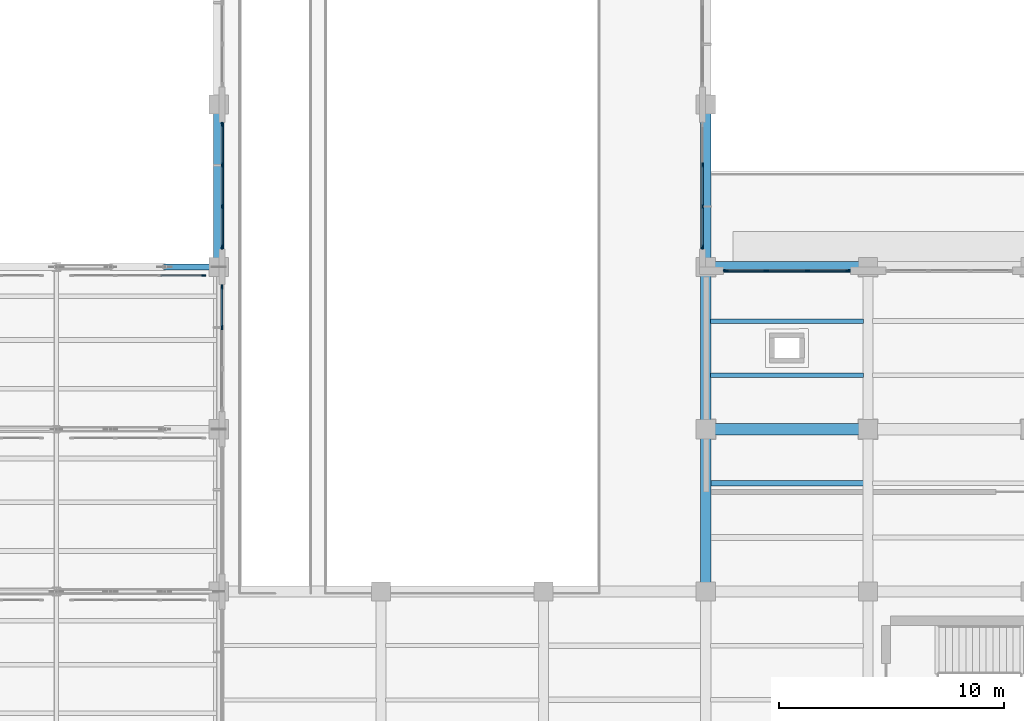
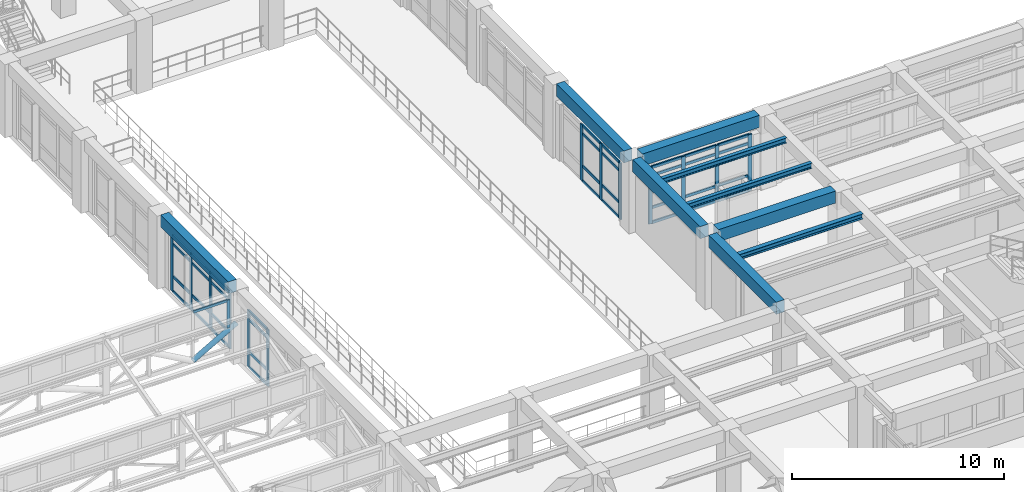
# One storey, part 36 of 98: 52 members, 9 beams, 5 elements without a shape of their own.
"""IFC4 building model written with IfcOpenShell, lengths in metres."""

from ifc_helpers import new_model, si_unit, direction, frame, origin, origin_2d, place, context, subcontext, project, spatial, rectangle, hollow_circle, i_section, extrude, material, layer, layer_set, material_profile, profile_set, type_object, element, aggregate, save


model = new_model("IFC4")

# Units and contexts
model_context = context("Model", 3, precision=1e-05, world=origin(), true_north=direction((0.0, 1.0)))
body_context = subcontext(model_context, "Body", "Model", "MODEL_VIEW")
ifc_project = project(units=[si_unit("LENGTHUNIT", "METRE"), si_unit("AREAUNIT", "SQUARE_METRE"), si_unit("VOLUMEUNIT", "CUBIC_METRE"), si_unit("PLANEANGLEUNIT", "RADIAN"), si_unit("MASSUNIT", "GRAM", prefix="KILO")], contexts=[model_context])

# Site, building, storey
site_placement = place(None, origin())
site = spatial("IfcSite", under=ifc_project, at=site_placement, CompositionType="ELEMENT")
building_placement = place(site_placement, origin())
building = spatial("IfcBuilding", under=site, at=building_placement, Name="Solenvale Faculty of Natural Sciences", CompositionType="ELEMENT")
storey_placement = place(building_placement, frame((0.0, 0.0, 9.0)))
storey = spatial("IfcBuildingStorey", under=building, at=storey_placement, Name="L02", CompositionType="ELEMENT", Elevation=9.0)

# Beams
ifc_material_1 = material(Name="Concrete 40 MPa", Category="concrete")
ifc_material_profile_1 = material_profile(ifc_material_1, rectangle(XDim=0.449951171875, YDim=0.699951171875, at=origin_2d()), Name="RC-BM-450x700")
ifc_profile_set_1 = profile_set([ifc_material_profile_1], Name="Concrete 40 MPa")
beam_type_1 = type_object("IfcBeamType", Name="BM-RC-450x700", PredefinedType="BEAM", material=ifc_profile_set_1)
beam_1_placement = place(storey_placement, frame((36.0, 43.60498046875, 3.8701171875), z_axis=(0.0, 1.0, 0.0), x_axis=(-1.0, 0.0, 0.0)))
element("IfcBeam", 1, at=beam_1_placement, inside=storey, type_object=beam_type_1, Name="L02 Y-Girder X36.0 (43.2..50.4)", PredefinedType="BEAM", context=body_context, shape_type="SweptSolid", body=[
    extrude(rectangle(XDim=0.449951171875, YDim=0.699951171875, at=origin_2d()), origin(), (0.0, 0.0, 1.0), 6.39013671875),
])
for number, where, z_axis, x_axis, name in (
    (2, (57.60009765625, 29.205078125, 3.8701171875), (0.0, 1.0, 0.0), (-1.0, 0.0, 0.0), "L02 Y-Girder X57.6 (28.8..36.0)"),
    (3, (57.60009765625, 36.405029296875, 3.8701171875), (0.0, 1.0, 0.0), (-1.0, 0.0, 0.0), "L02 Y-Girder X57.6 (36.0..43.2)"),
):
    element("IfcBeam", number, at=place(storey_placement, frame(where, z_axis=z_axis, x_axis=x_axis)), inside=storey, type_object=beam_type_1, Name=name, PredefinedType="BEAM", context=body_context, shape_type="SweptSolid", body=[
        extrude(rectangle(XDim=0.449951171875, YDim=0.699951171875, at=origin_2d()), origin(), (0.0, 0.0, 1.0), 6.389892578125),
    ])
beam_2_placement = place(storey_placement, frame((57.60009765625, 43.60498046875, 3.8701171875), z_axis=(0.0, 1.0, 0.0), x_axis=(-1.0, 0.0, 0.0)))
element("IfcBeam", 4, at=beam_2_placement, inside=storey, type_object=beam_type_1, Name="L02 Y-Girder X57.6 (43.2..50.4)", PredefinedType="BEAM", context=body_context, shape_type="SweptSolid", body=[
    extrude(rectangle(XDim=0.449951171875, YDim=0.699951171875, at=origin_2d()), origin(), (0.0, 0.0, 1.0), 6.39013671875),
])
ifc_material_profile_2 = material_profile(ifc_material_1, rectangle(XDim=0.5, YDim=0.699951171875, at=origin_2d()), Name="RC-BM-500x700")
ifc_profile_set_2 = profile_set([ifc_material_profile_2], Name="Concrete 40 MPa")
beam_type_2 = type_object("IfcBeamType", Name="BM-RC-500x700", PredefinedType="BEAM", material=ifc_profile_set_2)
for number, where, z_axis, x_axis, name in (
    (5, (58.0048828125, 36.0, 3.8701171875), (1.0, 0.0, 0.0), (0.0, 1.0, 0.0), "L02 X-Girder Y36.0 (57.6..64.8)"),
    (6, (58.0048828125, 43.199951171875, 3.8701171875), (1.0, 0.0, 0.0), (0.0, 1.0, 0.0), "L02 X-Girder Y43.2 (57.6..64.8)"),
):
    element("IfcBeam", number, at=place(storey_placement, frame(where, z_axis=z_axis, x_axis=x_axis)), inside=storey, type_object=beam_type_2, Name=name, PredefinedType="BEAM", context=body_context, shape_type="SweptSolid", body=[
        extrude(rectangle(XDim=0.5, YDim=0.699951171875, at=origin_2d()), origin(), (0.0, 0.0, 1.0), 6.39013671875),
    ])
ifc_material_2 = material(Name="Steel S355", Category="steel")
ifc_material_profile_3 = material_profile(ifc_material_2, i_section(OverallWidth=0.202880859375, OverallDepth=0.302978515625, WebThickness=0.007568359375, FlangeThickness=0.01318359375, FilletRadius=0.014892578125, at=origin_2d()), Name="W310x60")
ifc_profile_set_3 = profile_set([ifc_material_profile_3], Name="Steel S355")
beam_type_3 = type_object("IfcBeamType", Name="BM-STL-W310x60", PredefinedType="JOIST", material=ifc_profile_set_3)
for number, where, z_axis, x_axis, name in (
    (7, (57.804931640625, 38.39990234375, 4.068603515625), (1.0, 0.0, 0.0), (0.0, 1.0, 0.0), "L02 Composite Floor Joist (9,6).1"),
    (8, (57.804931640625, 40.800048828125, 4.068603515625), (1.0, 0.0, 0.0), (0.0, 1.0, 0.0), "L02 Composite Floor Joist (9,6).2"),
):
    element("IfcBeam", number, at=place(storey_placement, frame(where, z_axis=z_axis, x_axis=x_axis)), inside=storey, type_object=beam_type_3, Name=name, PredefinedType="JOIST", context=body_context, shape_type="SweptSolid", body=[
        extrude(i_section(OverallWidth=0.202880859375, OverallDepth=0.302978515625, WebThickness=0.007568359375, FlangeThickness=0.01318359375, FilletRadius=0.014892578125, at=origin_2d()), origin(), (0.0, 0.0, 1.0), 6.7900390625),
    ])
ifc_material_profile_4 = material_profile(ifc_material_2, i_section(OverallWidth=0.25390625, OverallDepth=0.305908203125, WebThickness=0.0087890625, FlangeThickness=0.0146484375, FilletRadius=0.014892578125, at=origin_2d()), Name="W310x79")
ifc_profile_set_4 = profile_set([ifc_material_profile_4], Name="Steel S355")
beam_type_4 = type_object("IfcBeamType", Name="BM-STL-W310x79", PredefinedType="JOIST", material=ifc_profile_set_4)
beam_3_placement = place(storey_placement, frame((57.804931640625, 33.60009765625, 4.06689453125), z_axis=(1.0, 0.0, 0.0), x_axis=(0.0, 1.0, 0.0)))
element("IfcBeam", 9, at=beam_3_placement, inside=storey, type_object=beam_type_4, Name="L02 Composite Floor Joist (9,5).2", PredefinedType="JOIST", context=body_context, shape_type="SweptSolid", body=[
    extrude(i_section(OverallWidth=0.25390625, OverallDepth=0.305908203125, WebThickness=0.0087890625, FlangeThickness=0.0146484375, FilletRadius=0.014892578125, at=origin_2d()), origin(), (0.0, 0.0, 1.0), 6.7900390625),
])

# Curtain wall, member
ifc_material_3 = material(Name="Anodised bronze aluminium", Category="aluminium")
ifc_layer_1 = layer(ifc_material_3, 0.1650390625)
ifc_layer_set_1 = layer_set([ifc_layer_1], Name="Anodised bronze aluminium")
curtain_wall_type_1 = type_object("IfcCurtainWallType", Name="CW-SAW-CLR", PredefinedType="USERDEFINED", material=ifc_layer_set_1)
curtain_wall_1_placement = place(storey_placement, origin())
curtain_wall_1 = element("IfcCurtainWall", 10, at=curtain_wall_1_placement, inside=storey, type_object=curtain_wall_type_1, Name="L02 Curtain Wall SAW-V1-CW-6-2", ObjectType="NORTH LIGHT CLERESTORY", PredefinedType="USERDEFINED")
ifc_material_profile_5 = material_profile(ifc_material_3, rectangle(XDim=0.06494140625, YDim=0.175048828125, at=origin_2d()), Name="ALU-MUL-65x175")
ifc_profile_set_5 = profile_set([ifc_material_profile_5], Name="Anodised bronze aluminium")
member_type_1 = type_object("IfcMemberType", Name="CWM-ALU-65x175", PredefinedType="MULLION", material=ifc_profile_set_5)
member_1_placement = place(storey_placement, frame((35.327392578125, 42.820068359375, 2.22998046875), z_axis=(0.0, 0.0, 1.0), x_axis=(0.0, -1.0, 0.0)))
member_1 = element("IfcMember", 11, at=member_1_placement, type_object=member_type_1, Name="CW-05 mullion 1", PredefinedType="MULLION", context=body_context, shape_type="SweptSolid", body=[
    extrude(rectangle(XDim=0.06494140625, YDim=0.175048828125, at=origin_2d()), origin(), (0.0, 0.0, 1.0), 1.610107421875),
])

# Curtain wall, members
ifc_layer_2 = layer(ifc_material_3, 0.18994140625)
ifc_layer_set_2 = layer_set([ifc_layer_2], Name="Anodised bronze aluminium")
curtain_wall_type_2 = type_object("IfcCurtainWallType", Name="CW-TRAY-REC", PredefinedType="USERDEFINED", material=ifc_layer_set_2)
curtain_wall_2_placement = place(storey_placement, origin())
curtain_wall_2 = element("IfcCurtainWall", 12, at=curtain_wall_2_placement, inside=storey, type_object=curtain_wall_type_2, Name="L02 Curtain Wall CW-L02-P1-E6-B8", ObjectType="UNITISED CURTAIN WALL", PredefinedType="USERDEFINED")
ifc_material_profile_6 = material_profile(ifc_material_3, rectangle(XDim=0.074951171875, YDim=0.2099609375, at=origin_2d()), Name="ALU-MUL-75x210")
ifc_profile_set_6 = profile_set([ifc_material_profile_6], Name="Anodised bronze aluminium")
member_type_2 = type_object("IfcMemberType", Name="CWM-ALU-75x210", PredefinedType="MULLION", material=ifc_profile_set_6)
member_2_placement = place(storey_placement, frame((63.91259765625, 43.03759765625, 0.0), z_axis=(0.0, 0.0, 1.0), x_axis=(0.0, -1.0, 0.0)))
member_2 = element("IfcMember", 13, at=member_2_placement, type_object=member_type_2, Name="CW-02 mullion 1", PredefinedType="MULLION", context=body_context, shape_type="SweptSolid", body=[
    extrude(rectangle(XDim=0.074951171875, YDim=0.2099609375, at=origin_2d()), origin(), (0.0, 0.0, 1.0), 3.260009765625),
])
member_3_placement = place(storey_placement, frame((62.11669921875, 43.03759765625, 0.0), z_axis=(0.0, 0.0, 1.0), x_axis=(0.0, -1.0, 0.0)))
member_3 = element("IfcMember", 14, at=member_3_placement, type_object=member_type_2, Name="CW-02 mullion 2", PredefinedType="MULLION", context=body_context, shape_type="SweptSolid", body=[
    extrude(rectangle(XDim=0.074951171875, YDim=0.2099609375, at=origin_2d()), origin(), (0.0, 0.0, 1.0), 3.260009765625),
])
member_4_placement = place(storey_placement, frame((60.283447265625, 43.03759765625, 0.0), z_axis=(0.0, 0.0, 1.0), x_axis=(0.0, -1.0, 0.0)))
member_4 = element("IfcMember", 15, at=member_4_placement, type_object=member_type_2, Name="CW-02 mullion 3", PredefinedType="MULLION", context=body_context, shape_type="SweptSolid", body=[
    extrude(rectangle(XDim=0.074951171875, YDim=0.2099609375, at=origin_2d()), origin(), (0.0, 0.0, 1.0), 3.260009765625),
])
member_5_placement = place(storey_placement, frame((58.487548828125, 43.03759765625, 0.0), z_axis=(0.0, 0.0, 1.0), x_axis=(0.0, -1.0, 0.0)))
member_5 = element("IfcMember", 16, at=member_5_placement, type_object=member_type_2, Name="CW-02 mullion 4", PredefinedType="MULLION", context=body_context, shape_type="SweptSolid", body=[
    extrude(rectangle(XDim=0.074951171875, YDim=0.2099609375, at=origin_2d()), origin(), (0.0, 0.0, 1.0), 3.260009765625),
])

ifc_layer_3 = layer(ifc_material_3, 0.215087890625)
ifc_layer_set_3 = layer_set([ifc_layer_3], Name="Anodised bronze aluminium")
curtain_wall_type_3 = type_object("IfcCurtainWallType", Name="CW-ATR-UNIT", PredefinedType="USERDEFINED", material=ifc_layer_set_3)
curtain_wall_3_placement = place(storey_placement, origin())
curtain_wall_3 = element("IfcCurtainWall", 17, at=curtain_wall_3_placement, inside=storey, type_object=curtain_wall_type_3, Name="L02 Curtain Wall CW-L02-P1-E7-B1", ObjectType="UNITISED CURTAIN WALL", PredefinedType="USERDEFINED")
member_6_placement = place(storey_placement, frame((57.45751953125, 44.08740234375, 0.0), z_axis=(0.0, 0.0, 1.0), x_axis=(-1.0, 0.0, 0.0)))
member_6 = element("IfcMember", 18, at=member_6_placement, type_object=member_type_2, Name="CW-01 mullion 1", PredefinedType="MULLION", context=body_context, shape_type="SweptSolid", body=[
    extrude(rectangle(XDim=0.074951171875, YDim=0.2099609375, at=origin_2d()), origin(), (0.0, 0.0, 1.0), 3.260009765625),
])
member_7_placement = place(storey_placement, frame((57.45751953125, 45.88330078125, 0.0), z_axis=(0.0, 0.0, 1.0), x_axis=(-1.0, 0.0, 0.0)))
member_7 = element("IfcMember", 19, at=member_7_placement, type_object=member_type_2, Name="CW-01 mullion 2", PredefinedType="MULLION", context=body_context, shape_type="SweptSolid", body=[
    extrude(rectangle(XDim=0.074951171875, YDim=0.2099609375, at=origin_2d()), origin(), (0.0, 0.0, 1.0), 3.260009765625),
])
member_8_placement = place(storey_placement, frame((57.45751953125, 47.716552734375, 0.0), z_axis=(0.0, 0.0, 1.0), x_axis=(-1.0, 0.0, 0.0)))
member_8 = element("IfcMember", 20, at=member_8_placement, type_object=member_type_2, Name="CW-01 mullion 3", PredefinedType="MULLION", context=body_context, shape_type="SweptSolid", body=[
    extrude(rectangle(XDim=0.074951171875, YDim=0.2099609375, at=origin_2d()), origin(), (0.0, 0.0, 1.0), 3.260009765625),
])

curtain_wall_4_placement = place(storey_placement, origin())
curtain_wall_4 = element("IfcCurtainWall", 21, at=curtain_wall_4_placement, inside=storey, type_object=curtain_wall_type_3, Name="L02 Curtain Wall CW-L02-P1-E9-B7", ObjectType="UNITISED CURTAIN WALL", PredefinedType="USERDEFINED")
member_9_placement = place(storey_placement, frame((36.142578125, 49.512451171875, 0.0), z_axis=(0.0, 0.0, 1.0), x_axis=(1.0, 0.0, 0.0)))
member_9 = element("IfcMember", 22, at=member_9_placement, type_object=member_type_2, Name="CW-01 mullion 1", PredefinedType="MULLION", context=body_context, shape_type="SweptSolid", body=[
    extrude(rectangle(XDim=0.074951171875, YDim=0.2099609375, at=origin_2d()), origin(), (0.0, 0.0, 1.0), 3.260009765625),
])
member_10_placement = place(storey_placement, frame((36.142578125, 47.716552734375, 0.0), z_axis=(0.0, 0.0, 1.0), x_axis=(1.0, 0.0, 0.0)))
member_10 = element("IfcMember", 23, at=member_10_placement, type_object=member_type_2, Name="CW-01 mullion 2", PredefinedType="MULLION", context=body_context, shape_type="SweptSolid", body=[
    extrude(rectangle(XDim=0.074951171875, YDim=0.2099609375, at=origin_2d()), origin(), (0.0, 0.0, 1.0), 3.260009765625),
])
member_11_placement = place(storey_placement, frame((36.142578125, 45.88330078125, 0.0), z_axis=(0.0, 0.0, 1.0), x_axis=(1.0, 0.0, 0.0)))
member_11 = element("IfcMember", 24, at=member_11_placement, type_object=member_type_2, Name="CW-01 mullion 3", PredefinedType="MULLION", context=body_context, shape_type="SweptSolid", body=[
    extrude(rectangle(XDim=0.074951171875, YDim=0.2099609375, at=origin_2d()), origin(), (0.0, 0.0, 1.0), 3.260009765625),
])
member_12_placement = place(storey_placement, frame((36.142578125, 44.08740234375, 0.0), z_axis=(0.0, 0.0, 1.0), x_axis=(1.0, 0.0, 0.0)))
member_12 = element("IfcMember", 25, at=member_12_placement, type_object=member_type_2, Name="CW-01 mullion 4", PredefinedType="MULLION", context=body_context, shape_type="SweptSolid", body=[
    extrude(rectangle(XDim=0.074951171875, YDim=0.2099609375, at=origin_2d()), origin(), (0.0, 0.0, 1.0), 3.260009765625),
])

curtain_wall_5_placement = place(storey_placement, origin())
curtain_wall_5 = element("IfcCurtainWall", 26, at=curtain_wall_5_placement, inside=storey, type_object=curtain_wall_type_3, Name="L02 Curtain Wall CW-L02-P1-E9-B8", ObjectType="UNITISED CURTAIN WALL", PredefinedType="USERDEFINED")
member_13_placement = place(storey_placement, frame((36.142578125, 42.3125, 0.0), z_axis=(0.0, 0.0, 1.0), x_axis=(1.0, 0.0, 0.0)))
member_13 = element("IfcMember", 27, at=member_13_placement, type_object=member_type_2, Name="CW-01 mullion 1", PredefinedType="MULLION", context=body_context, shape_type="SweptSolid", body=[
    extrude(rectangle(XDim=0.074951171875, YDim=0.2099609375, at=origin_2d()), origin(), (0.0, 0.0, 1.0), 3.260009765625),
])
member_14_placement = place(storey_placement, frame((36.142578125, 40.5166015625, 0.0), z_axis=(0.0, 0.0, 1.0), x_axis=(1.0, 0.0, 0.0)))
member_14 = element("IfcMember", 28, at=member_14_placement, type_object=member_type_2, Name="CW-01 mullion 2", PredefinedType="MULLION", context=body_context, shape_type="SweptSolid", body=[
    extrude(rectangle(XDim=0.074951171875, YDim=0.2099609375, at=origin_2d()), origin(), (0.0, 0.0, 1.0), 3.260009765625),
])

# Member
ifc_material_profile_7 = material_profile(ifc_material_3, rectangle(XDim=0.06494140625, YDim=0.135009765625, at=origin_2d()), Name="ALU-TRN-65x135")
ifc_profile_set_7 = profile_set([ifc_material_profile_7], Name="Anodised bronze aluminium")
member_type_3 = type_object("IfcMemberType", Name="CWT-ALU-65x135", PredefinedType="USERDEFINED", material=ifc_profile_set_7)
member_15_placement = place(storey_placement, frame((35.294921875, 42.820068359375, 3.8076171875), z_axis=(-1.0, 0.0, 0.0), x_axis=(0.0, -1.0, 0.0)))
member_15 = element("IfcMember", 29, at=member_15_placement, type_object=member_type_3, Name="CW-05 transom 1.2", ObjectType="TRANSOM", PredefinedType="USERDEFINED", context=body_context, shape_type="SweptSolid", body=[
    extrude(rectangle(XDim=0.06494140625, YDim=0.135009765625, at=origin_2d()), origin(), (0.0, 0.0, 1.0), 1.875732421875),
])

aggregate(curtain_wall_1, [member_1, member_15])

ifc_material_profile_8 = material_profile(ifc_material_3, rectangle(XDim=0.074951171875, YDim=0.155029296875, at=origin_2d()), Name="ALU-TRN-75x155")
ifc_profile_set_8 = profile_set([ifc_material_profile_8], Name="Anodised bronze aluminium")
member_type_4 = type_object("IfcMemberType", Name="CWT-ALU-75x155", PredefinedType="USERDEFINED", material=ifc_profile_set_8)
member_16_placement = place(storey_placement, frame((63.875, 43.03759765625, 0.03759765625), z_axis=(-1.0, 0.0, 0.0), x_axis=(0.0, -1.0, 0.0)))
member_16 = element("IfcMember", 30, at=member_16_placement, type_object=member_type_4, Name="CW-02 transom 1.1", ObjectType="TRANSOM", PredefinedType="USERDEFINED", context=body_context, shape_type="SweptSolid", body=[
    extrude(rectangle(XDim=0.074951171875, YDim=0.155029296875, at=origin_2d()), origin(), (0.0, 0.0, 1.0), 1.720947265625),
])

member_17_placement = place(storey_placement, frame((63.875, 43.03759765625, 0.89990234375), z_axis=(-1.0, 0.0, 0.0), x_axis=(0.0, -1.0, 0.0)))
member_17 = element("IfcMember", 31, at=member_17_placement, type_object=member_type_4, Name="CW-02 transom 1.2", ObjectType="TRANSOM", PredefinedType="USERDEFINED", context=body_context, shape_type="SweptSolid", body=[
    extrude(rectangle(XDim=0.074951171875, YDim=0.155029296875, at=origin_2d()), origin(), (0.0, 0.0, 1.0), 1.720947265625),
])

member_18_placement = place(storey_placement, frame((63.875, 43.03759765625, 2.760009765625), z_axis=(-1.0, 0.0, 0.0), x_axis=(0.0, -1.0, 0.0)))
member_18 = element("IfcMember", 32, at=member_18_placement, type_object=member_type_4, Name="CW-02 transom 1.3", ObjectType="TRANSOM", PredefinedType="USERDEFINED", context=body_context, shape_type="SweptSolid", body=[
    extrude(rectangle(XDim=0.074951171875, YDim=0.155029296875, at=origin_2d()), origin(), (0.0, 0.0, 1.0), 1.720947265625),
])

member_19_placement = place(storey_placement, frame((63.875, 43.03759765625, 3.222412109375), z_axis=(-1.0, 0.0, 0.0), x_axis=(0.0, -1.0, 0.0)))
member_19 = element("IfcMember", 33, at=member_19_placement, type_object=member_type_4, Name="CW-02 transom 1.4", ObjectType="TRANSOM", PredefinedType="USERDEFINED", context=body_context, shape_type="SweptSolid", body=[
    extrude(rectangle(XDim=0.074951171875, YDim=0.155029296875, at=origin_2d()), origin(), (0.0, 0.0, 1.0), 1.720947265625),
])

member_20_placement = place(storey_placement, frame((62.0791015625, 43.03759765625, 0.03759765625), z_axis=(-1.0, 0.0, 0.0), x_axis=(0.0, -1.0, 0.0)))
member_20 = element("IfcMember", 34, at=member_20_placement, type_object=member_type_4, Name="CW-02 transom 2.1", ObjectType="TRANSOM", PredefinedType="USERDEFINED", context=body_context, shape_type="SweptSolid", body=[
    extrude(rectangle(XDim=0.074951171875, YDim=0.155029296875, at=origin_2d()), origin(), (0.0, 0.0, 1.0), 1.75830078125),
])

member_21_placement = place(storey_placement, frame((62.0791015625, 43.03759765625, 0.89990234375), z_axis=(-1.0, 0.0, 0.0), x_axis=(0.0, -1.0, 0.0)))
member_21 = element("IfcMember", 35, at=member_21_placement, type_object=member_type_4, Name="CW-02 transom 2.2", ObjectType="TRANSOM", PredefinedType="USERDEFINED", context=body_context, shape_type="SweptSolid", body=[
    extrude(rectangle(XDim=0.074951171875, YDim=0.155029296875, at=origin_2d()), origin(), (0.0, 0.0, 1.0), 1.75830078125),
])

member_22_placement = place(storey_placement, frame((62.0791015625, 43.03759765625, 2.760009765625), z_axis=(-1.0, 0.0, 0.0), x_axis=(0.0, -1.0, 0.0)))
member_22 = element("IfcMember", 36, at=member_22_placement, type_object=member_type_4, Name="CW-02 transom 2.3", ObjectType="TRANSOM", PredefinedType="USERDEFINED", context=body_context, shape_type="SweptSolid", body=[
    extrude(rectangle(XDim=0.074951171875, YDim=0.155029296875, at=origin_2d()), origin(), (0.0, 0.0, 1.0), 1.75830078125),
])

member_23_placement = place(storey_placement, frame((62.0791015625, 43.03759765625, 3.222412109375), z_axis=(-1.0, 0.0, 0.0), x_axis=(0.0, -1.0, 0.0)))
member_23 = element("IfcMember", 37, at=member_23_placement, type_object=member_type_4, Name="CW-02 transom 2.4", ObjectType="TRANSOM", PredefinedType="USERDEFINED", context=body_context, shape_type="SweptSolid", body=[
    extrude(rectangle(XDim=0.074951171875, YDim=0.155029296875, at=origin_2d()), origin(), (0.0, 0.0, 1.0), 1.75830078125),
])

member_24_placement = place(storey_placement, frame((60.245849609375, 43.03759765625, 0.03759765625), z_axis=(-1.0, 0.0, 0.0), x_axis=(0.0, -1.0, 0.0)))
member_24 = element("IfcMember", 38, at=member_24_placement, type_object=member_type_4, Name="CW-02 transom 3.1", ObjectType="TRANSOM", PredefinedType="USERDEFINED", context=body_context, shape_type="SweptSolid", body=[
    extrude(rectangle(XDim=0.074951171875, YDim=0.155029296875, at=origin_2d()), origin(), (0.0, 0.0, 1.0), 1.720947265625),
])

member_25_placement = place(storey_placement, frame((60.245849609375, 43.03759765625, 0.89990234375), z_axis=(-1.0, 0.0, 0.0), x_axis=(0.0, -1.0, 0.0)))
member_25 = element("IfcMember", 39, at=member_25_placement, type_object=member_type_4, Name="CW-02 transom 3.2", ObjectType="TRANSOM", PredefinedType="USERDEFINED", context=body_context, shape_type="SweptSolid", body=[
    extrude(rectangle(XDim=0.074951171875, YDim=0.155029296875, at=origin_2d()), origin(), (0.0, 0.0, 1.0), 1.720947265625),
])

member_26_placement = place(storey_placement, frame((60.245849609375, 43.03759765625, 2.760009765625), z_axis=(-1.0, 0.0, 0.0), x_axis=(0.0, -1.0, 0.0)))
member_26 = element("IfcMember", 40, at=member_26_placement, type_object=member_type_4, Name="CW-02 transom 3.3", ObjectType="TRANSOM", PredefinedType="USERDEFINED", context=body_context, shape_type="SweptSolid", body=[
    extrude(rectangle(XDim=0.074951171875, YDim=0.155029296875, at=origin_2d()), origin(), (0.0, 0.0, 1.0), 1.720947265625),
])

member_27_placement = place(storey_placement, frame((60.245849609375, 43.03759765625, 3.222412109375), z_axis=(-1.0, 0.0, 0.0), x_axis=(0.0, -1.0, 0.0)))
member_27 = element("IfcMember", 41, at=member_27_placement, type_object=member_type_4, Name="CW-02 transom 3.4", ObjectType="TRANSOM", PredefinedType="USERDEFINED", context=body_context, shape_type="SweptSolid", body=[
    extrude(rectangle(XDim=0.074951171875, YDim=0.155029296875, at=origin_2d()), origin(), (0.0, 0.0, 1.0), 1.720947265625),
])

aggregate(curtain_wall_2, [member_2, member_3, member_4, member_5, member_16, member_17, member_18, member_19, member_20, member_21, member_22, member_23, member_24, member_25, member_26, member_27])

member_28_placement = place(storey_placement, frame((57.45751953125, 44.125, 0.03759765625), z_axis=(0.0, 1.0, 0.0), x_axis=(-1.0, 0.0, 0.0)))
member_28 = element("IfcMember", 42, at=member_28_placement, type_object=member_type_4, Name="CW-01 transom 1.1", ObjectType="TRANSOM", PredefinedType="USERDEFINED", context=body_context, shape_type="SweptSolid", body=[
    extrude(rectangle(XDim=0.074951171875, YDim=0.155029296875, at=origin_2d()), origin(), (0.0, 0.0, 1.0), 1.720947265625),
])

member_29_placement = place(storey_placement, frame((57.45751953125, 44.125, 0.89990234375), z_axis=(0.0, 1.0, 0.0), x_axis=(-1.0, 0.0, 0.0)))
member_29 = element("IfcMember", 43, at=member_29_placement, type_object=member_type_4, Name="CW-01 transom 1.2", ObjectType="TRANSOM", PredefinedType="USERDEFINED", context=body_context, shape_type="SweptSolid", body=[
    extrude(rectangle(XDim=0.074951171875, YDim=0.155029296875, at=origin_2d()), origin(), (0.0, 0.0, 1.0), 1.720947265625),
])

member_30_placement = place(storey_placement, frame((57.45751953125, 44.125, 2.760009765625), z_axis=(0.0, 1.0, 0.0), x_axis=(-1.0, 0.0, 0.0)))
member_30 = element("IfcMember", 44, at=member_30_placement, type_object=member_type_4, Name="CW-01 transom 1.3", ObjectType="TRANSOM", PredefinedType="USERDEFINED", context=body_context, shape_type="SweptSolid", body=[
    extrude(rectangle(XDim=0.074951171875, YDim=0.155029296875, at=origin_2d()), origin(), (0.0, 0.0, 1.0), 1.720947265625),
])

member_31_placement = place(storey_placement, frame((57.45751953125, 44.125, 3.222412109375), z_axis=(0.0, 1.0, 0.0), x_axis=(-1.0, 0.0, 0.0)))
member_31 = element("IfcMember", 45, at=member_31_placement, type_object=member_type_4, Name="CW-01 transom 1.4", ObjectType="TRANSOM", PredefinedType="USERDEFINED", context=body_context, shape_type="SweptSolid", body=[
    extrude(rectangle(XDim=0.074951171875, YDim=0.155029296875, at=origin_2d()), origin(), (0.0, 0.0, 1.0), 1.720947265625),
])

member_32_placement = place(storey_placement, frame((57.45751953125, 45.9208984375, 0.03759765625), z_axis=(0.0, 1.0, 0.0), x_axis=(-1.0, 0.0, 0.0)))
member_32 = element("IfcMember", 46, at=member_32_placement, type_object=member_type_4, Name="CW-01 transom 2.1", ObjectType="TRANSOM", PredefinedType="USERDEFINED", context=body_context, shape_type="SweptSolid", body=[
    extrude(rectangle(XDim=0.074951171875, YDim=0.155029296875, at=origin_2d()), origin(), (0.0, 0.0, 1.0), 1.75830078125),
])

member_33_placement = place(storey_placement, frame((57.45751953125, 45.9208984375, 0.89990234375), z_axis=(0.0, 1.0, 0.0), x_axis=(-1.0, 0.0, 0.0)))
member_33 = element("IfcMember", 47, at=member_33_placement, type_object=member_type_4, Name="CW-01 transom 2.2", ObjectType="TRANSOM", PredefinedType="USERDEFINED", context=body_context, shape_type="SweptSolid", body=[
    extrude(rectangle(XDim=0.074951171875, YDim=0.155029296875, at=origin_2d()), origin(), (0.0, 0.0, 1.0), 1.75830078125),
])

member_34_placement = place(storey_placement, frame((57.45751953125, 45.9208984375, 2.760009765625), z_axis=(0.0, 1.0, 0.0), x_axis=(-1.0, 0.0, 0.0)))
member_34 = element("IfcMember", 48, at=member_34_placement, type_object=member_type_4, Name="CW-01 transom 2.3", ObjectType="TRANSOM", PredefinedType="USERDEFINED", context=body_context, shape_type="SweptSolid", body=[
    extrude(rectangle(XDim=0.074951171875, YDim=0.155029296875, at=origin_2d()), origin(), (0.0, 0.0, 1.0), 1.75830078125),
])

member_35_placement = place(storey_placement, frame((57.45751953125, 45.9208984375, 3.222412109375), z_axis=(0.0, 1.0, 0.0), x_axis=(-1.0, 0.0, 0.0)))
member_35 = element("IfcMember", 49, at=member_35_placement, type_object=member_type_4, Name="CW-01 transom 2.4", ObjectType="TRANSOM", PredefinedType="USERDEFINED", context=body_context, shape_type="SweptSolid", body=[
    extrude(rectangle(XDim=0.074951171875, YDim=0.155029296875, at=origin_2d()), origin(), (0.0, 0.0, 1.0), 1.75830078125),
])

aggregate(curtain_wall_3, [member_6, member_7, member_8, member_28, member_29, member_30, member_31, member_32, member_33, member_34, member_35])

member_36_placement = place(storey_placement, frame((36.142578125, 49.47509765625, 0.03759765625), z_axis=(0.0, -1.0, 0.0), x_axis=(1.0, 0.0, 0.0)))
member_36 = element("IfcMember", 50, at=member_36_placement, type_object=member_type_4, Name="CW-01 transom 1.1", ObjectType="TRANSOM", PredefinedType="USERDEFINED", context=body_context, shape_type="SweptSolid", body=[
    extrude(rectangle(XDim=0.074951171875, YDim=0.155029296875, at=origin_2d()), origin(), (0.0, 0.0, 1.0), 1.720947265625),
])

member_37_placement = place(storey_placement, frame((36.142578125, 49.47509765625, 0.89990234375), z_axis=(0.0, -1.0, 0.0), x_axis=(1.0, 0.0, 0.0)))
member_37 = element("IfcMember", 51, at=member_37_placement, type_object=member_type_4, Name="CW-01 transom 1.2", ObjectType="TRANSOM", PredefinedType="USERDEFINED", context=body_context, shape_type="SweptSolid", body=[
    extrude(rectangle(XDim=0.074951171875, YDim=0.155029296875, at=origin_2d()), origin(), (0.0, 0.0, 1.0), 1.720947265625),
])

member_38_placement = place(storey_placement, frame((36.142578125, 49.47509765625, 2.760009765625), z_axis=(0.0, -1.0, 0.0), x_axis=(1.0, 0.0, 0.0)))
member_38 = element("IfcMember", 52, at=member_38_placement, type_object=member_type_4, Name="CW-01 transom 1.3", ObjectType="TRANSOM", PredefinedType="USERDEFINED", context=body_context, shape_type="SweptSolid", body=[
    extrude(rectangle(XDim=0.074951171875, YDim=0.155029296875, at=origin_2d()), origin(), (0.0, 0.0, 1.0), 1.720947265625),
])

member_39_placement = place(storey_placement, frame((36.142578125, 49.47509765625, 3.222412109375), z_axis=(0.0, -1.0, 0.0), x_axis=(1.0, 0.0, 0.0)))
member_39 = element("IfcMember", 53, at=member_39_placement, type_object=member_type_4, Name="CW-01 transom 1.4", ObjectType="TRANSOM", PredefinedType="USERDEFINED", context=body_context, shape_type="SweptSolid", body=[
    extrude(rectangle(XDim=0.074951171875, YDim=0.155029296875, at=origin_2d()), origin(), (0.0, 0.0, 1.0), 1.720947265625),
])

member_40_placement = place(storey_placement, frame((36.142578125, 47.67919921875, 0.03759765625), z_axis=(0.0, -1.0, 0.0), x_axis=(1.0, 0.0, 0.0)))
member_40 = element("IfcMember", 54, at=member_40_placement, type_object=member_type_4, Name="CW-01 transom 2.1", ObjectType="TRANSOM", PredefinedType="USERDEFINED", context=body_context, shape_type="SweptSolid", body=[
    extrude(rectangle(XDim=0.074951171875, YDim=0.155029296875, at=origin_2d()), origin(), (0.0, 0.0, 1.0), 1.75830078125),
])

member_41_placement = place(storey_placement, frame((36.142578125, 47.67919921875, 0.89990234375), z_axis=(0.0, -1.0, 0.0), x_axis=(1.0, 0.0, 0.0)))
member_41 = element("IfcMember", 55, at=member_41_placement, type_object=member_type_4, Name="CW-01 transom 2.2", ObjectType="TRANSOM", PredefinedType="USERDEFINED", context=body_context, shape_type="SweptSolid", body=[
    extrude(rectangle(XDim=0.074951171875, YDim=0.155029296875, at=origin_2d()), origin(), (0.0, 0.0, 1.0), 1.75830078125),
])

member_42_placement = place(storey_placement, frame((36.142578125, 47.67919921875, 2.760009765625), z_axis=(0.0, -1.0, 0.0), x_axis=(1.0, 0.0, 0.0)))
member_42 = element("IfcMember", 56, at=member_42_placement, type_object=member_type_4, Name="CW-01 transom 2.3", ObjectType="TRANSOM", PredefinedType="USERDEFINED", context=body_context, shape_type="SweptSolid", body=[
    extrude(rectangle(XDim=0.074951171875, YDim=0.155029296875, at=origin_2d()), origin(), (0.0, 0.0, 1.0), 1.75830078125),
])

member_43_placement = place(storey_placement, frame((36.142578125, 47.67919921875, 3.222412109375), z_axis=(0.0, -1.0, 0.0), x_axis=(1.0, 0.0, 0.0)))
member_43 = element("IfcMember", 57, at=member_43_placement, type_object=member_type_4, Name="CW-01 transom 2.4", ObjectType="TRANSOM", PredefinedType="USERDEFINED", context=body_context, shape_type="SweptSolid", body=[
    extrude(rectangle(XDim=0.074951171875, YDim=0.155029296875, at=origin_2d()), origin(), (0.0, 0.0, 1.0), 1.75830078125),
])

member_44_placement = place(storey_placement, frame((36.142578125, 45.845947265625, 0.03759765625), z_axis=(0.0, -1.0, 0.0), x_axis=(1.0, 0.0, 0.0)))
member_44 = element("IfcMember", 58, at=member_44_placement, type_object=member_type_4, Name="CW-01 transom 3.1", ObjectType="TRANSOM", PredefinedType="USERDEFINED", context=body_context, shape_type="SweptSolid", body=[
    extrude(rectangle(XDim=0.074951171875, YDim=0.155029296875, at=origin_2d()), origin(), (0.0, 0.0, 1.0), 1.720947265625),
])

member_45_placement = place(storey_placement, frame((36.142578125, 45.845947265625, 0.89990234375), z_axis=(0.0, -1.0, 0.0), x_axis=(1.0, 0.0, 0.0)))
member_45 = element("IfcMember", 59, at=member_45_placement, type_object=member_type_4, Name="CW-01 transom 3.2", ObjectType="TRANSOM", PredefinedType="USERDEFINED", context=body_context, shape_type="SweptSolid", body=[
    extrude(rectangle(XDim=0.074951171875, YDim=0.155029296875, at=origin_2d()), origin(), (0.0, 0.0, 1.0), 1.720947265625),
])

member_46_placement = place(storey_placement, frame((36.142578125, 45.845947265625, 2.760009765625), z_axis=(0.0, -1.0, 0.0), x_axis=(1.0, 0.0, 0.0)))
member_46 = element("IfcMember", 60, at=member_46_placement, type_object=member_type_4, Name="CW-01 transom 3.3", ObjectType="TRANSOM", PredefinedType="USERDEFINED", context=body_context, shape_type="SweptSolid", body=[
    extrude(rectangle(XDim=0.074951171875, YDim=0.155029296875, at=origin_2d()), origin(), (0.0, 0.0, 1.0), 1.720947265625),
])

member_47_placement = place(storey_placement, frame((36.142578125, 45.845947265625, 3.222412109375), z_axis=(0.0, -1.0, 0.0), x_axis=(1.0, 0.0, 0.0)))
member_47 = element("IfcMember", 61, at=member_47_placement, type_object=member_type_4, Name="CW-01 transom 3.4", ObjectType="TRANSOM", PredefinedType="USERDEFINED", context=body_context, shape_type="SweptSolid", body=[
    extrude(rectangle(XDim=0.074951171875, YDim=0.155029296875, at=origin_2d()), origin(), (0.0, 0.0, 1.0), 1.720947265625),
])

aggregate(curtain_wall_4, [member_9, member_10, member_11, member_12, member_36, member_37, member_38, member_39, member_40, member_41, member_42, member_43, member_44, member_45, member_46, member_47])

member_48_placement = place(storey_placement, frame((36.142578125, 42.27490234375, 0.03759765625), z_axis=(0.0, -1.0, 0.0), x_axis=(1.0, 0.0, 0.0)))
member_48 = element("IfcMember", 62, at=member_48_placement, type_object=member_type_4, Name="CW-01 transom 1.1", ObjectType="TRANSOM", PredefinedType="USERDEFINED", context=body_context, shape_type="SweptSolid", body=[
    extrude(rectangle(XDim=0.074951171875, YDim=0.155029296875, at=origin_2d()), origin(), (0.0, 0.0, 1.0), 1.720703125),
])

member_49_placement = place(storey_placement, frame((36.142578125, 42.27490234375, 0.89990234375), z_axis=(0.0, -1.0, 0.0), x_axis=(1.0, 0.0, 0.0)))
member_49 = element("IfcMember", 63, at=member_49_placement, type_object=member_type_4, Name="CW-01 transom 1.2", ObjectType="TRANSOM", PredefinedType="USERDEFINED", context=body_context, shape_type="SweptSolid", body=[
    extrude(rectangle(XDim=0.074951171875, YDim=0.155029296875, at=origin_2d()), origin(), (0.0, 0.0, 1.0), 1.720703125),
])

member_50_placement = place(storey_placement, frame((36.142578125, 42.27490234375, 2.760009765625), z_axis=(0.0, -1.0, 0.0), x_axis=(1.0, 0.0, 0.0)))
member_50 = element("IfcMember", 64, at=member_50_placement, type_object=member_type_4, Name="CW-01 transom 1.3", ObjectType="TRANSOM", PredefinedType="USERDEFINED", context=body_context, shape_type="SweptSolid", body=[
    extrude(rectangle(XDim=0.074951171875, YDim=0.155029296875, at=origin_2d()), origin(), (0.0, 0.0, 1.0), 1.720703125),
])

member_51_placement = place(storey_placement, frame((36.142578125, 42.27490234375, 3.222412109375), z_axis=(0.0, -1.0, 0.0), x_axis=(1.0, 0.0, 0.0)))
member_51 = element("IfcMember", 65, at=member_51_placement, type_object=member_type_4, Name="CW-01 transom 1.4", ObjectType="TRANSOM", PredefinedType="USERDEFINED", context=body_context, shape_type="SweptSolid", body=[
    extrude(rectangle(XDim=0.074951171875, YDim=0.155029296875, at=origin_2d()), origin(), (0.0, 0.0, 1.0), 1.720703125),
])

aggregate(curtain_wall_5, [member_13, member_14, member_48, member_49, member_50, member_51])

ifc_material_profile_9 = material_profile(ifc_material_2, hollow_circle(Radius=0.136474609375, WallThickness=0.010986328125, at=origin_2d()), Name="HSS273x11")
ifc_profile_set_9 = profile_set([ifc_material_profile_9], Name="Steel S355")
member_type_5 = type_object("IfcMemberType", Name="MB-BRC-CHS273", PredefinedType="BRACE", material=ifc_profile_set_9)
member_52_placement = place(storey_placement, frame((33.60009765625, 43.199951171875, 0.68994140625), z_axis=(0.869996876503, 0.0, 0.493057232859), x_axis=(0.0, 1.0, 0.0)))
element("IfcMember", 66, at=member_52_placement, inside=storey, type_object=member_type_5, Name="V1 Truss 6.2 Diagonal 3", PredefinedType="BRACE", context=body_context, shape_type="SweptSolid", body=[
    extrude(hollow_circle(Radius=0.136474609375, WallThickness=0.010986328125, at=origin_2d()), origin(), (0.0, 0.0, 1.0), 2.758544921875),
])

save(model, "model.ifc")
